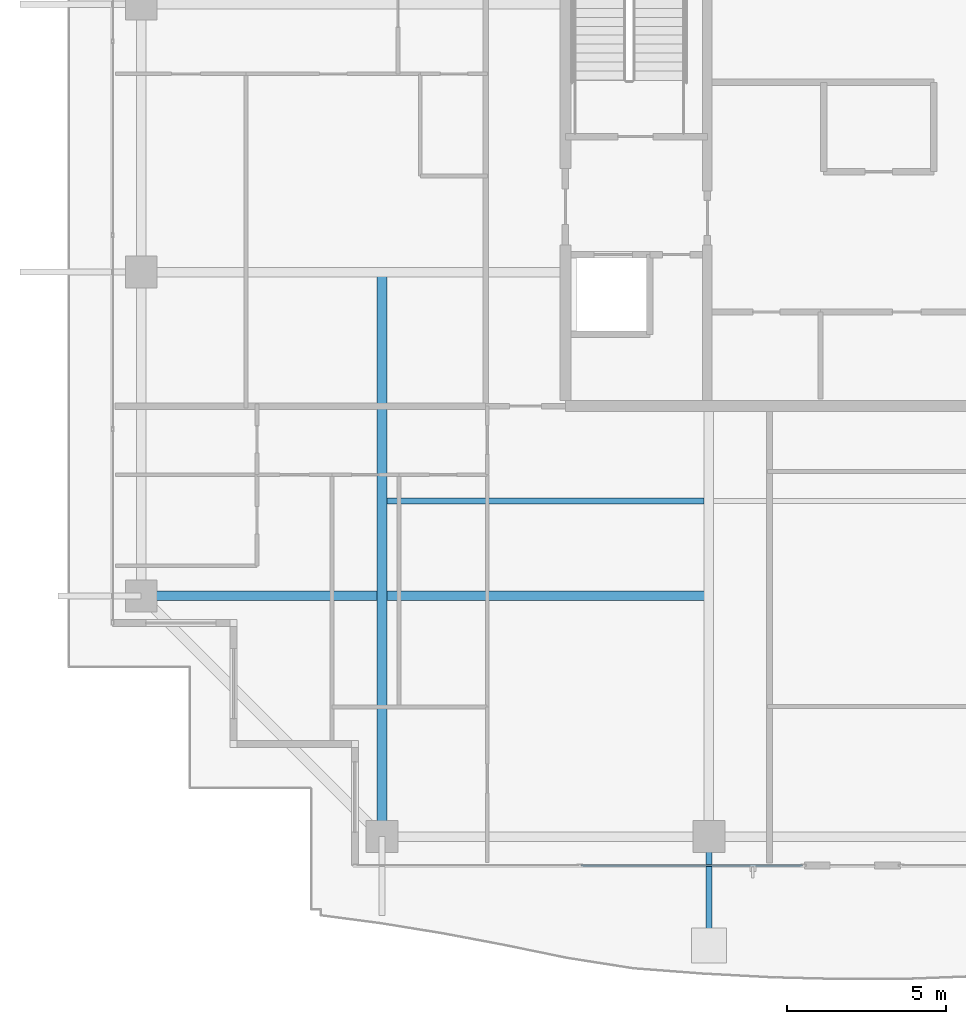
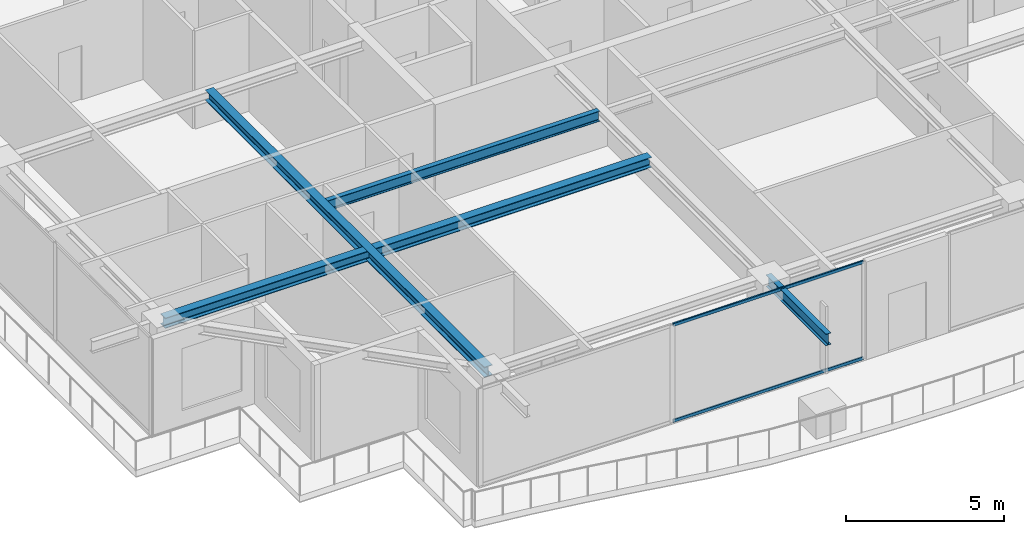
# One storey, part 4 of 41: 4 beams, 2 members, 1 element without a shape of its own.
"""IFC4 building model written with IfcOpenShell, lengths in metres."""

from ifc_helpers import new_model, si_unit, direction, frame, origin, origin_2d, place, context, subcontext, project, spatial, hollow_rectangle, i_section, extrude, source, transform, mapped, material, layer, layer_set, material_profile, profile_set, type_object, element, aggregate, save


model = new_model("IFC4")

# Units and contexts
model_context = context("Model", 3, precision=1e-05, world=origin(), true_north=direction((0.0, 1.0)))
body_context = subcontext(model_context, "Body", "Model", "MODEL_VIEW")
ifc_project = project(units=[si_unit("LENGTHUNIT", "METRE"), si_unit("AREAUNIT", "SQUARE_METRE"), si_unit("VOLUMEUNIT", "CUBIC_METRE"), si_unit("PLANEANGLEUNIT", "RADIAN"), si_unit("MASSUNIT", "GRAM", prefix="KILO")], contexts=[model_context])

# Site, building, storey
site_placement = place(None, origin())
site = spatial("IfcSite", under=ifc_project, at=site_placement, CompositionType="ELEMENT")
building_placement = place(site_placement, origin())
building = spatial("IfcBuilding", under=site, at=building_placement, Name="Serunith Strait Residences", CompositionType="ELEMENT")
storey_placement = place(building_placement, frame((0.0, 0.0, 301.550048828125)))
storey = spatial("IfcBuildingStorey", under=building, at=storey_placement, Name="L75", CompositionType="ELEMENT", Elevation=301.550048828125)

# Beams
ifc_material_1 = material(Name="Steel S355J2", Category="steel")
ifc_material_profile_1 = material_profile(ifc_material_1, i_section(OverallWidth=0.300048828125, OverallDepth=0.39990234375, WebThickness=0.013427734375, FlangeThickness=0.02392578125, FilletRadius=0.027099609375, at=origin_2d()), Name="HEB 400")
ifc_profile_set_1 = profile_set([ifc_material_profile_1], Name="Steel S355J2")
beam_type_1 = type_object("IfcBeamType", Name="BM-HEB400", PredefinedType="BEAM", material=ifc_profile_set_1)
shared_shape_1 = source(origin(), body_context, "Body", "SweptSolid", [
    extrude(i_section(OverallWidth=0.300048828125, OverallDepth=0.39990234375, WebThickness=0.013427734375, FlangeThickness=0.02392578125, FilletRadius=0.027099609375, at=origin_2d()), origin(), (0.0, 0.0, 1.0), 17.699951171875),
])
beam_1_placement = place(storey_placement, frame((17.64990234375, 21.0, 3.5869140625), z_axis=(0.0, -1.0, 0.0), x_axis=(1.0, 0.0, 0.0)))
element("IfcBeam", 1, at=beam_1_placement, inside=storey, type_object=beam_type_1, Name="L75 Orthogonal Corner Girder TC-S1", PredefinedType="BEAM", context=body_context, shape_type="MappedRepresentation", body=[
    mapped(shared_shape_1, transform((0.0, 0.0, 0.0), scale=1.0)),
])
shared_shape_2 = source(origin(), body_context, "Body", "SweptSolid", [
    extrude(i_section(OverallWidth=0.300048828125, OverallDepth=0.39990234375, WebThickness=0.013427734375, FlangeThickness=0.02392578125, FilletRadius=0.027099609375, at=origin_2d()), origin(), (0.0, 0.0, 1.0), 17.7998046875),
])
beam_2_placement = place(storey_placement, frame((27.89990234375, 10.85009765625, 3.5869140625), z_axis=(-1.0, 0.0, 0.0), x_axis=(0.0, -1.0, 0.0)))
element("IfcBeam", 2, at=beam_2_placement, inside=storey, type_object=beam_type_1, Name="L75 Orthogonal Corner Girder TC-W1", PredefinedType="BEAM", context=body_context, shape_type="MappedRepresentation", body=[
    mapped(shared_shape_2, transform((0.0, 0.0, 0.0), scale=1.0)),
])
ifc_material_profile_2 = material_profile(ifc_material_1, i_section(OverallWidth=0.179931640625, OverallDepth=0.39990234375, WebThickness=0.008544921875, FlangeThickness=0.013427734375, FilletRadius=0.02099609375, at=origin_2d()), Name="IPE 400")
ifc_profile_set_2 = profile_set([ifc_material_profile_2], Name="Steel S355J2")
beam_type_2 = type_object("IfcBeamType", Name="BM-IPE400", PredefinedType="JOIST", material=ifc_profile_set_2)
shared_shape_3 = source(origin(), body_context, "Body", "SweptSolid", [
    extrude(i_section(OverallWidth=0.179931640625, OverallDepth=0.39990234375, WebThickness=0.008544921875, FlangeThickness=0.013427734375, FilletRadius=0.02099609375, at=origin_2d()), origin(), (0.0, 0.0, 1.0), 9.949951171875),
])
beam_3_placement = place(storey_placement, frame((17.800048828125, 13.824951171875, 3.5869140625), z_axis=(1.0, 0.0, 0.0), x_axis=(0.0, 1.0, 0.0)))
element("IfcBeam", 3, at=beam_3_placement, inside=storey, type_object=beam_type_2, Name="L75 Composite Floor Joist 01", PredefinedType="JOIST", context=body_context, shape_type="MappedRepresentation", body=[
    mapped(shared_shape_3, transform((0.0, 0.0, 0.0), scale=1.0)),
])
ifc_material_profile_3 = material_profile(ifc_material_1, i_section(OverallWidth=0.18994140625, OverallDepth=0.449951171875, WebThickness=0.009521484375, FlangeThickness=0.0146484375, FilletRadius=0.02099609375, at=origin_2d()), Name="IPE 450")
ifc_profile_set_3 = profile_set([ifc_material_profile_3], Name="Steel S355J2")
beam_type_3 = type_object("IfcBeamType", Name="BM-IPE450", PredefinedType="JOIST", material=ifc_profile_set_3)
shared_shape_4 = source(origin(), body_context, "Body", "SweptSolid", [
    extrude(i_section(OverallWidth=0.18994140625, OverallDepth=0.449951171875, WebThickness=0.009521484375, FlangeThickness=0.0146484375, FilletRadius=0.02099609375, at=origin_2d()), origin(), (0.0, 0.0, 1.0), 3.800048828125),
])
beam_4_placement = place(storey_placement, frame((27.89990234375, 3.300048828125, 3.531982421875), z_axis=(0.0, -1.0, 0.0), x_axis=(1.0, 0.0, 0.0)))
element("IfcBeam", 4, at=beam_4_placement, inside=storey, type_object=beam_type_3, Name="L76 Cantilevered Balcony Rib TC-S2", PredefinedType="JOIST", context=body_context, shape_type="MappedRepresentation", body=[
    mapped(shared_shape_4, transform((0.0, 0.0, 0.0), scale=1.0)),
])

# Curtain wall, members
ifc_material_2 = material(Name="Brushed Stainless-Silver Aluminium", Category="aluminium")
ifc_layer = layer(ifc_material_2, 0.199951171875, Name="Brushed Stainless-Silver Aluminium")
ifc_layer_set = layer_set([ifc_layer], Name="Brushed Stainless-Silver Aluminium")
curtain_wall_type = type_object("IfcCurtainWallType", Name="CW-SYS5", PredefinedType="NOTDEFINED", material=ifc_layer_set)
curtain_wall_placement = place(storey_placement, origin())
curtain_wall = element("IfcCurtainWall", 5, at=curtain_wall_placement, inside=storey, type_object=curtain_wall_type, Name="L75 S Unitised Fritted Curtain Wall", PredefinedType="NOTDEFINED")
ifc_material_profile_4 = material_profile(ifc_material_2, hollow_rectangle(XDim=0.06005859375, YDim=0.1201171875, WallThickness=0.00341796875, InnerFilletRadius=0.00537109375, OuterFilletRadius=0.0087890625, at=origin_2d()), Name="ALU 120x60x3.5")
ifc_profile_set_4 = profile_set([ifc_material_profile_4], Name="Brushed Stainless-Silver Aluminium")
member_type = type_object("IfcMemberType", Name="CW-SYS5-TRAN", PredefinedType="USERDEFINED", material=ifc_profile_set_4)
shared_shape_5 = source(origin(), body_context, "Body", "SweptSolid", [
    extrude(hollow_rectangle(XDim=0.06005859375, YDim=0.1201171875, WallThickness=0.00341796875, InnerFilletRadius=0.00537109375, OuterFilletRadius=0.0087890625, at=origin_2d()), origin(), (0.0, 0.0, 1.0), 6.952392578125),
])
member_1_placement = place(storey_placement, frame((23.882568359375, 2.39990234375, 0.030029296875), z_axis=(1.0, 0.0, 0.0), x_axis=(0.0, 1.0, 0.0)))
member_1 = element("IfcMember", 6, at=member_1_placement, type_object=member_type, Name="CW-5 transom 2.1", ObjectType="TRANSOM", PredefinedType="USERDEFINED", context=body_context, shape_type="MappedRepresentation", body=[
    mapped(shared_shape_5, transform((0.0, 0.0, 0.0), scale=1.0)),
])
member_2_placement = place(storey_placement, frame((23.882568359375, 2.39990234375, 3.744873046875), z_axis=(1.0, 0.0, 0.0), x_axis=(0.0, 1.0, 0.0)))
member_2 = element("IfcMember", 7, at=member_2_placement, type_object=member_type, Name="CW-5 transom 2.2", ObjectType="TRANSOM", PredefinedType="USERDEFINED", context=body_context, shape_type="MappedRepresentation", body=[
    mapped(shared_shape_5, transform((0.0, 0.0, 0.0), scale=1.0)),
])
aggregate(curtain_wall, [member_1, member_2])

save(model, "model.ifc")
